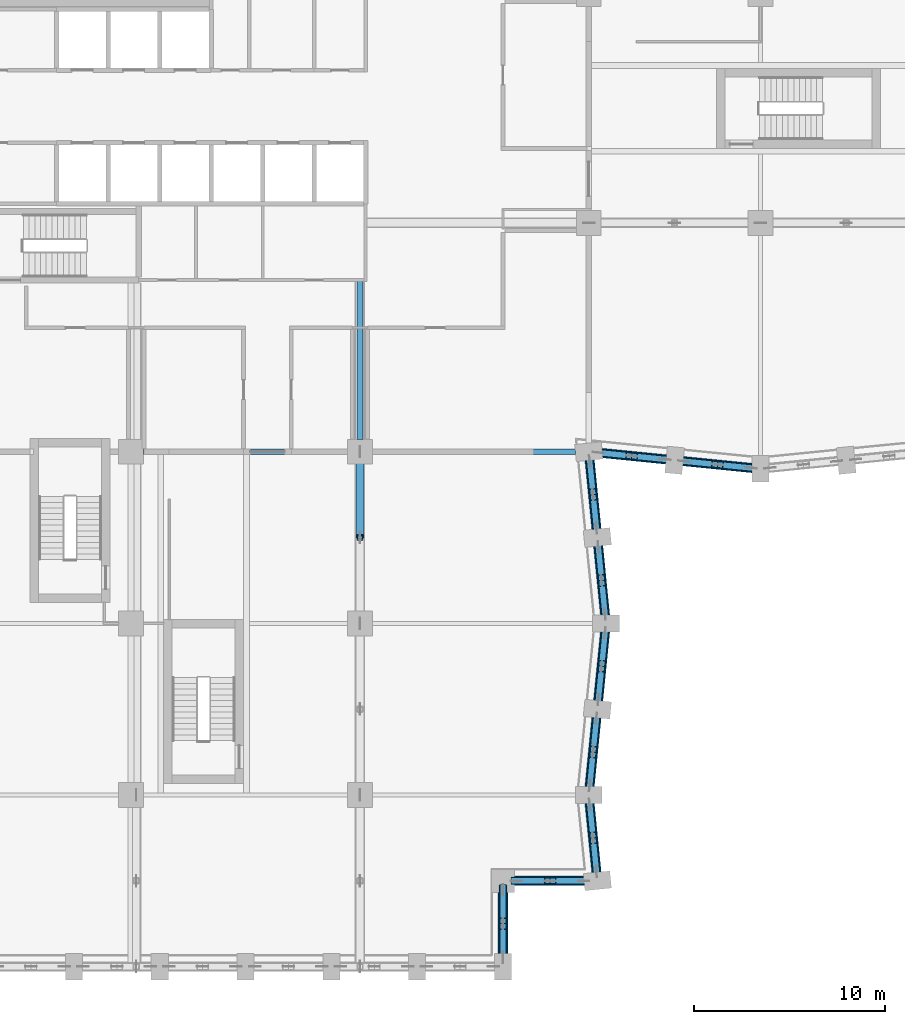
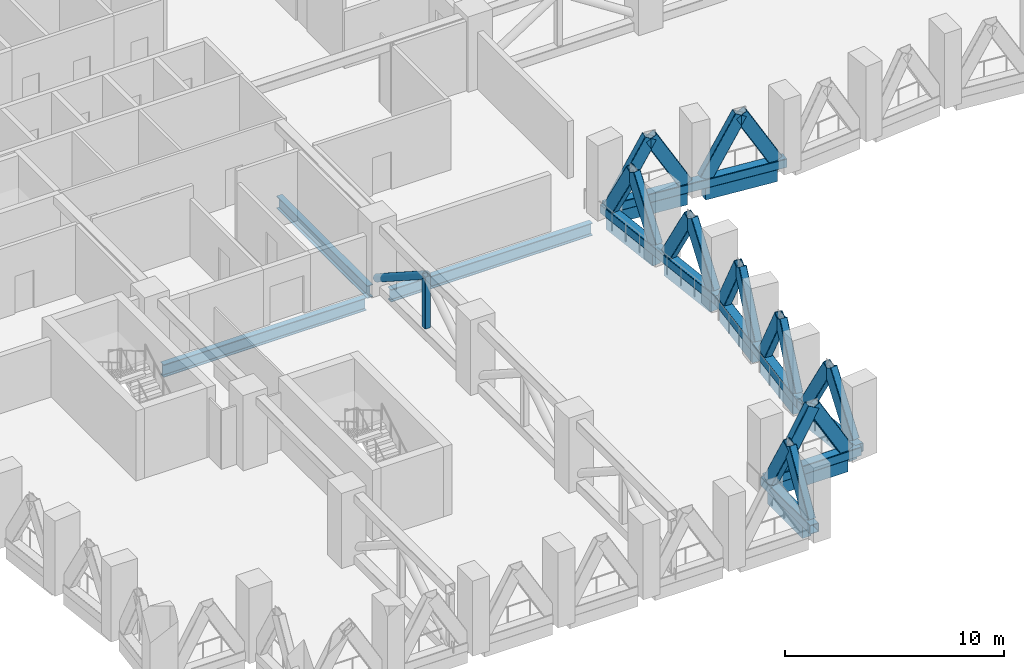
# One storey, part 4 of 25: 26 members, 12 beams.
"""IFC4 building model written with IfcOpenShell, lengths in metres."""

from ifc_helpers import new_model, si_unit, direction, frame, origin, origin_2d, place, context, subcontext, project, spatial, rectangle, hollow_rectangle, hollow_circle, i_section, extrude, material, material_profile, profile_set, type_object, element, save


model = new_model("IFC4")

# Units and contexts
model_context = context("Model", 3, precision=1e-05, world=origin(), true_north=direction((0.0, 1.0)))
body_context = subcontext(model_context, "Body", "Model", "MODEL_VIEW")
ifc_project = project(units=[si_unit("LENGTHUNIT", "METRE"), si_unit("AREAUNIT", "SQUARE_METRE"), si_unit("VOLUMEUNIT", "CUBIC_METRE"), si_unit("PLANEANGLEUNIT", "RADIAN"), si_unit("MASSUNIT", "GRAM", prefix="KILO")], contexts=[model_context])

# Site, building, storey
site_placement = place(None, origin())
site = spatial("IfcSite", under=ifc_project, at=site_placement, CompositionType="ELEMENT")
building_placement = place(site_placement, origin())
building = spatial("IfcBuilding", under=site, at=building_placement, Name="Brondeck Convention Tower", CompositionType="ELEMENT")
storey_placement = place(building_placement, frame((0.0, 0.0, 84.300048828125)))
storey = spatial("IfcBuildingStorey", under=building, at=storey_placement, Name="L19", CompositionType="ELEMENT", Elevation=84.300048828125)

# Members
ifc_material_1 = material(Name="Steel S460", Category="steel")
ifc_material_profile_1 = material_profile(ifc_material_1, hollow_rectangle(XDim=0.39990234375, YDim=0.699951171875, WallThickness=0.030029296875, InnerFilletRadius=0.030029296875, OuterFilletRadius=0.06005859375, at=origin_2d()), Name="RHS 700x400x30")
ifc_profile_set_1 = profile_set([ifc_material_profile_1], Name="Steel S460")
member_type_1 = type_object("IfcMemberType", Name="Chevron brace RHS 700x400x30", PredefinedType="BRACE", material=ifc_profile_set_1)
for number, where, z_axis, x_axis, name in (
    (1, (31.5, 0.489013671875, 0.5), (0.0, 0.500008478926, 0.866020508419), (-1.0, 0.0, 0.0), "Belt truss BT-19-7 diagonal"),
    (2, (31.5, 4.010986328125, 0.5), (0.0, -0.500008478926, 0.866020508419), (1.0, 0.0, 0.0), "Belt truss BT-19-7 diagonal"),
    (3, (32.214111328125, 4.5, 0.5), (0.500008478926, 0.0, 0.866020508419), (0.0, 1.0, 0.0), "Belt truss BT-19-8 diagonal"),
):
    element("IfcMember", number, at=place(storey_placement, frame(where, z_axis=z_axis, x_axis=x_axis)), inside=storey, type_object=member_type_1, Name=name, PredefinedType="BRACE", context=body_context, shape_type="SweptSolid", body=[
        extrude(hollow_rectangle(XDim=0.39990234375, YDim=0.699951171875, WallThickness=0.030029296875, InnerFilletRadius=0.030029296875, OuterFilletRadius=0.06005859375, at=origin_2d()), origin(), (0.0, 0.0, 1.0), 3.52197265625),
    ])
member_1_placement = place(storey_placement, frame((35.73583984375, 4.5, 0.5), z_axis=(-0.499956486466, 0.0, 0.866050524878), x_axis=(0.0, -1.0, 0.0)))
element("IfcMember", 4, at=member_1_placement, inside=storey, type_object=member_type_1, Name="Belt truss BT-19-8 diagonal", PredefinedType="BRACE", context=body_context, shape_type="SweptSolid", body=[
    extrude(hollow_rectangle(XDim=0.39990234375, YDim=0.699951171875, WallThickness=0.030029296875, InnerFilletRadius=0.030029296875, OuterFilletRadius=0.06005859375, at=origin_2d()), origin(), (0.0, 0.0, 1.0), 3.521728515625),
])
for number, where, z_axis, x_axis, name in (
    (5, (36.400146484375, 4.997802734375, 0.5), (-0.049703241745, 0.49751766528, 0.866028729601), (-0.995046794549, -0.099407628771, 0.0), "Belt truss BT-19-9 diagonal"),
    (6, (36.0498046875, 8.502197265625, 0.5), (0.049772391254, -0.497515949904, 0.866025743647), (0.995033071281, 0.099544899705, 0.0), "Belt truss BT-19-9 diagonal"),
    (7, (36.0498046875, 9.497802734375, 0.5), (0.049772391254, 0.497515949904, 0.866025743647), (-0.995033071281, 0.099544899705, 0.0), "Belt truss BT-19-10 diagonal"),
    (8, (36.400146484375, 13.002197265625, 0.5), (-0.049703241745, -0.49751766528, 0.866028729601), (0.995046794549, -0.099407628771, 0.0), "Belt truss BT-19-10 diagonal"),
    (9, (36.499755859375, 13.997802734375, 0.5), (0.049772391254, 0.497515949904, 0.866025743647), (-0.995033071281, 0.099544899705, 0.0), "Belt truss BT-19-11 diagonal"),
    (10, (36.85009765625, 17.502197265625, 0.5), (-0.049703241745, -0.49751766528, 0.866028729601), (0.995046794549, -0.099407628771, 0.0), "Belt truss BT-19-11 diagonal"),
    (11, (36.85009765625, 18.497802734375, 0.5), (-0.049703241745, 0.49751766528, 0.866028729601), (-0.995046794549, -0.099407628771, 0.0), "Belt truss BT-19-12 diagonal"),
    (12, (36.499755859375, 22.002197265625, 0.5), (0.049772391254, -0.497515949904, 0.866025743647), (0.995033071281, 0.099544899705, 0.0), "Belt truss BT-19-12 diagonal"),
    (13, (36.400146484375, 22.997802734375, 0.5), (-0.049703241745, 0.49751766528, 0.866028729601), (-0.995046794549, -0.099407628771, 0.0), "Belt truss BT-19-13 diagonal"),
    (14, (36.0498046875, 26.502197265625, 0.5), (0.049772391254, -0.497515949904, 0.866025743647), (0.995033071281, 0.099544899705, 0.0), "Belt truss BT-19-13 diagonal"),
    (15, (36.497802734375, 26.9501953125, 0.5), (0.497515949904, -0.049772391254, 0.866025743647), (0.099544899705, 0.995033071281, 0.0), "Belt truss BT-19-14 diagonal"),
    (16, (40.002197265625, 26.599853515625, 0.5), (-0.49751766528, 0.049703241745, 0.866028729601), (-0.099407628771, -0.995046794549, 0.0), "Belt truss BT-19-14 diagonal"),
    (17, (40.997802734375, 26.500244140625, 0.5), (0.497515949904, -0.049772391254, 0.866025743647), (0.099544899705, 0.995033071281, 0.0), "Belt truss BT-19-15 diagonal"),
    (18, (44.502197265625, 26.14990234375, 0.5), (-0.49751766528, 0.049703241745, 0.866028729601), (-0.099407628771, -0.995046794549, 0.0), "Belt truss BT-19-15 diagonal"),
):
    element("IfcMember", number, at=place(storey_placement, frame(where, z_axis=z_axis, x_axis=x_axis)), inside=storey, type_object=member_type_1, Name=name, PredefinedType="BRACE", context=body_context, shape_type="SweptSolid", body=[
        extrude(hollow_rectangle(XDim=0.39990234375, YDim=0.699951171875, WallThickness=0.030029296875, InnerFilletRadius=0.030029296875, OuterFilletRadius=0.06005859375, at=origin_2d()), origin(), (0.0, 0.0, 1.0), 3.52197265625),
    ])

# Beams
ifc_material_2 = material(Name="Steel S355", Category="steel")
ifc_material_profile_2 = material_profile(ifc_material_2, i_section(OverallWidth=0.300048828125, OverallDepth=0.699951171875, WebThickness=0.01708984375, FlangeThickness=0.031982421875, FilletRadius=0.027099609375, at=origin_2d()), Name="HEB 700")
ifc_profile_set_2 = profile_set([ifc_material_profile_2], Name="Steel S355")
beam_type_1 = type_object("IfcBeamType", Name="Girder HEB 700", PredefinedType="BEAM", material=ifc_profile_set_2)
beam_1_placement = place(storey_placement, frame((24.0, 35.955078125, -0.650146484375), z_axis=(0.0, -1.0, 0.0), x_axis=(1.0, 0.0, 0.0)))
element("IfcBeam", 19, at=beam_1_placement, inside=storey, type_object=beam_type_1, Name="STR-GR-L19-017", PredefinedType="BEAM", context=body_context, shape_type="SweptSolid", body=[
    extrude(i_section(OverallWidth=0.300048828125, OverallDepth=0.699951171875, WebThickness=0.01708984375, FlangeThickness=0.031982421875, FilletRadius=0.027099609375, at=origin_2d()), origin(), (0.0, 0.0, 1.0), 8.30517578125),
])
beam_2_placement = place(storey_placement, frame((12.64990234375, 27.0, -0.650146484375), z_axis=(1.0, 0.0, 0.0), x_axis=(0.0, 1.0, 0.0)))
element("IfcBeam", 20, at=beam_2_placement, inside=storey, type_object=beam_type_1, Name="STR-GR-L19-022", PredefinedType="BEAM", context=body_context, shape_type="SweptSolid", body=[
    extrude(i_section(OverallWidth=0.300048828125, OverallDepth=0.699951171875, WebThickness=0.01708984375, FlangeThickness=0.031982421875, FilletRadius=0.027099609375, at=origin_2d()), origin(), (0.0, 0.0, 1.0), 10.7001953125),
])
beam_3_placement = place(storey_placement, frame((24.64990234375, 27.0, -0.650146484375), z_axis=(1.0, 0.0, 0.0), x_axis=(0.0, 1.0, 0.0)))
element("IfcBeam", 21, at=beam_3_placement, inside=storey, type_object=beam_type_1, Name="STR-GR-L19-023", PredefinedType="BEAM", context=body_context, shape_type="SweptSolid", body=[
    extrude(i_section(OverallWidth=0.300048828125, OverallDepth=0.699951171875, WebThickness=0.01708984375, FlangeThickness=0.031982421875, FilletRadius=0.027099609375, at=origin_2d()), origin(), (0.0, 0.0, 1.0), 10.646484375),
])
ifc_material_3 = material(Name="Concrete C80/95", Category="concrete")
ifc_material_profile_3 = material_profile(ifc_material_3, rectangle(XDim=0.449951171875, YDim=0.64990234375, at=origin_2d()), Name="Precast spandrel 450x650 Concrete C80/95")
ifc_profile_set_3 = profile_set([ifc_material_profile_3], Name="Concrete C80/95")
beam_type_2 = type_object("IfcBeamType", Name="Precast spandrel 450x650 Concrete C80/95", PredefinedType="SPANDREL", material=ifc_profile_set_3)
beam_4_placement = place(storey_placement, frame((31.5, 0.699951171875, -0.324951171875), z_axis=(0.0, 1.0, 0.0), x_axis=(-1.0, 0.0, 0.0)))
element("IfcBeam", 22, at=beam_4_placement, inside=storey, type_object=beam_type_2, Name="STR-SP-L19-007", PredefinedType="SPANDREL", context=body_context, shape_type="SweptSolid", body=[
    extrude(rectangle(XDim=0.449951171875, YDim=0.64990234375, at=origin_2d()), origin(), (0.0, 0.0, 1.0), 3.199951171875),
])
beam_5_placement = place(storey_placement, frame((32.10009765625, 4.5, -0.324951171875), z_axis=(1.0, 0.0, 0.0), x_axis=(0.0, 1.0, 0.0)))
element("IfcBeam", 23, at=beam_5_placement, inside=storey, type_object=beam_type_2, Name="STR-SP-L19-008", PredefinedType="SPANDREL", context=body_context, shape_type="SweptSolid", body=[
    extrude(rectangle(XDim=0.449951171875, YDim=0.64990234375, at=origin_2d()), origin(), (0.0, 0.0, 1.0), 3.646484375),
])
for number, where, z_axis, x_axis, name in (
    (24, (36.4052734375, 4.94775390625, -0.324951171875), (-0.099537103649, 0.995033851182, 0.0), (-0.995033851182, -0.099537103649, 0.0), "STR-SP-L19-009"),
    (25, (36.044921875, 9.449951171875, -0.324951171875), (0.099537103649, 0.995033851182, 0.0), (-0.995033851182, 0.099537103649, 0.0), "STR-SP-L19-010"),
    (26, (36.494873046875, 13.94775390625, -0.324951171875), (0.099470334057, 0.995040528141, 0.0), (-0.995040528141, 0.099470334057, 0.0), "STR-SP-L19-011"),
    (27, (36.85498046875, 18.449951171875, -0.324951171875), (-0.099470334057, 0.995040528141, 0.0), (-0.995040528141, -0.099470334057, 0.0), "STR-SP-L19-012"),
):
    element("IfcBeam", number, at=place(storey_placement, frame(where, z_axis=z_axis, x_axis=x_axis)), inside=storey, type_object=beam_type_2, Name=name, PredefinedType="SPANDREL", context=body_context, shape_type="SweptSolid", body=[
        extrude(rectangle(XDim=0.449951171875, YDim=0.64990234375, at=origin_2d()), origin(), (0.0, 0.0, 1.0), 3.620361328125),
    ])
beam_6_placement = place(storey_placement, frame((36.4052734375, 22.94775390625, -0.324951171875), z_axis=(-0.099543756114, 0.995033185687, 0.0), x_axis=(-0.995033185687, -0.099543756114, 0.0)))
element("IfcBeam", 28, at=beam_6_placement, inside=storey, type_object=beam_type_2, Name="STR-SP-L19-013", PredefinedType="SPANDREL", context=body_context, shape_type="SweptSolid", body=[
    extrude(rectangle(XDim=0.449951171875, YDim=0.64990234375, at=origin_2d()), origin(), (0.0, 0.0, 1.0), 3.62255859375),
])
beam_7_placement = place(storey_placement, frame((36.710693359375, 26.928955078125, -0.324951171875), z_axis=(0.995035030591, -0.099525312843, 0.0), x_axis=(0.099525312843, 0.995035030591, 0.0)))
element("IfcBeam", 29, at=beam_7_placement, inside=storey, type_object=beam_type_2, Name="STR-SP-L19-014", PredefinedType="SPANDREL", context=body_context, shape_type="SweptSolid", body=[
    extrude(rectangle(XDim=0.449951171875, YDim=0.64990234375, at=origin_2d()), origin(), (0.0, 0.0, 1.0), 3.358154296875),
])
beam_8_placement = place(storey_placement, frame((40.94775390625, 26.505126953125, -0.324951171875), z_axis=(0.995040528141, -0.099470334057, 0.0), x_axis=(0.099470334057, 0.995040528141, 0.0)))
element("IfcBeam", 30, at=beam_8_placement, inside=storey, type_object=beam_type_2, Name="STR-SP-L19-015", PredefinedType="SPANDREL", context=body_context, shape_type="SweptSolid", body=[
    extrude(rectangle(XDim=0.449951171875, YDim=0.64990234375, at=origin_2d()), origin(), (0.0, 0.0, 1.0), 3.620361328125),
])

# Members
ifc_material_profile_4 = material_profile(ifc_material_1, hollow_rectangle(XDim=0.5, YDim=0.5, WallThickness=0.02490234375, InnerFilletRadius=0.02490234375, OuterFilletRadius=0.050048828125, at=origin_2d()), Name="RHS 500x500x25")
ifc_profile_set_4 = profile_set([ifc_material_profile_4], Name="Steel S460")
member_type_2 = type_object("IfcMemberType", Name="Truss chord RHS 500x500x25", PredefinedType="CHORD", material=ifc_profile_set_4)
member_2_placement = place(storey_placement, frame((31.5, 0.0, 0.25), z_axis=(0.0, 1.0, 0.0), x_axis=(-1.0, 0.0, 0.0)))
element("IfcMember", 31, at=member_2_placement, inside=storey, type_object=member_type_2, Name="Belt truss BT-19-2 chord", PredefinedType="CHORD", context=body_context, shape_type="SweptSolid", body=[
    extrude(hollow_rectangle(XDim=0.5, YDim=0.5, WallThickness=0.02490234375, InnerFilletRadius=0.02490234375, OuterFilletRadius=0.050048828125, at=origin_2d()), origin(), (0.0, 0.0, 1.0), 4.5),
])
member_3_placement = place(storey_placement, frame((31.5, 4.5, 0.25), z_axis=(1.0, 0.0, 0.0), x_axis=(0.0, 1.0, 0.0)))
element("IfcMember", 32, at=member_3_placement, inside=storey, type_object=member_type_2, Name="Belt truss BT-19-3 chord", PredefinedType="CHORD", context=body_context, shape_type="SweptSolid", body=[
    extrude(hollow_rectangle(XDim=0.5, YDim=0.5, WallThickness=0.02490234375, InnerFilletRadius=0.02490234375, OuterFilletRadius=0.050048828125, at=origin_2d()), origin(), (0.0, 0.0, 1.0), 4.949951171875),
])
member_4_placement = place(storey_placement, frame((36.449951171875, 4.5, 0.25), z_axis=(-0.099493029059, 0.995038259148, 0.0), x_axis=(-0.995038259148, -0.099493029059, 0.0)))
element("IfcMember", 33, at=member_4_placement, inside=storey, type_object=member_type_2, Name="Belt truss BT-19-4 chord", PredefinedType="CHORD", context=body_context, shape_type="SweptSolid", body=[
    extrude(hollow_rectangle(XDim=0.5, YDim=0.5, WallThickness=0.02490234375, InnerFilletRadius=0.02490234375, OuterFilletRadius=0.050048828125, at=origin_2d()), origin(), (0.0, 0.0, 1.0), 4.5224609375),
])
for number, where, z_axis, x_axis, name in (
    (34, (36.0, 9.0, 0.25), (0.099493029059, 0.995038259148, 0.0), (-0.995038259148, 0.099493029059, 0.0), "Belt truss BT-19-5 chord"),
    (35, (36.89990234375, 18.0, 0.25), (-0.099493029059, 0.995038259148, 0.0), (-0.995038259148, -0.099493029059, 0.0), "Belt truss BT-19-6 chord"),
    (36, (36.0, 27.0, 0.25), (0.995038259148, -0.099493029059, 0.0), (0.099493029059, 0.995038259148, 0.0), "Belt truss BT-19-7 chord"),
):
    element("IfcMember", number, at=place(storey_placement, frame(where, z_axis=z_axis, x_axis=x_axis)), inside=storey, type_object=member_type_2, Name=name, PredefinedType="CHORD", context=body_context, shape_type="SweptSolid", body=[
        extrude(hollow_rectangle(XDim=0.5, YDim=0.5, WallThickness=0.02490234375, InnerFilletRadius=0.02490234375, OuterFilletRadius=0.050048828125, at=origin_2d()), origin(), (0.0, 0.0, 1.0), 9.044921875),
    ])
ifc_material_profile_5 = material_profile(ifc_material_1, hollow_circle(Radius=0.203125, WallThickness=0.02490234375, at=origin_2d()), Name="CHS 406.4x25")
ifc_profile_set_5 = profile_set([ifc_material_profile_5], Name="Steel S460")
member_type_3 = type_object("IfcMemberType", Name="Truss diagonal CHS 406.4x25", PredefinedType="BRACE", material=ifc_profile_set_5)
member_5_placement = place(storey_placement, frame((24.0, 27.0, 0.5), z_axis=(0.0, -0.84057934116, 0.541688444786), x_axis=(1.0, 0.0, 0.0)))
element("IfcMember", 37, at=member_5_placement, inside=storey, type_object=member_type_3, Name="Outrigger truss OT-19-B2 diagonal", PredefinedType="BRACE", context=body_context, shape_type="SweptSolid", body=[
    extrude(hollow_circle(Radius=0.203125, WallThickness=0.02490234375, at=origin_2d()), origin(), (0.0, 0.0, 1.0), 5.353515625),
])
ifc_material_profile_6 = material_profile(ifc_material_1, hollow_rectangle(XDim=0.300048828125, YDim=0.300048828125, WallThickness=0.01611328125, InnerFilletRadius=0.01611328125, OuterFilletRadius=0.031982421875, at=origin_2d()), Name="RHS 300x300x16")
ifc_profile_set_6 = profile_set([ifc_material_profile_6], Name="Steel S460")
member_type_4 = type_object("IfcMemberType", Name="Truss vertical RHS 300x300x16", PredefinedType="STRUT", material=ifc_profile_set_6)
member_6_placement = place(storey_placement, frame((24.0, 22.5, 0.5), z_axis=(0.0, 0.0, 1.0), x_axis=(1.0, 0.0, 0.0)))
element("IfcMember", 38, at=member_6_placement, inside=storey, type_object=member_type_4, Name="Outrigger truss OT-19-B2 vertical", PredefinedType="STRUT", context=body_context, shape_type="SweptSolid", body=[
    extrude(hollow_rectangle(XDim=0.300048828125, YDim=0.300048828125, WallThickness=0.01611328125, InnerFilletRadius=0.01611328125, OuterFilletRadius=0.031982421875, at=origin_2d()), origin(), (0.0, 0.0, 1.0), 2.89990234375),
])

save(model, "model.ifc")
